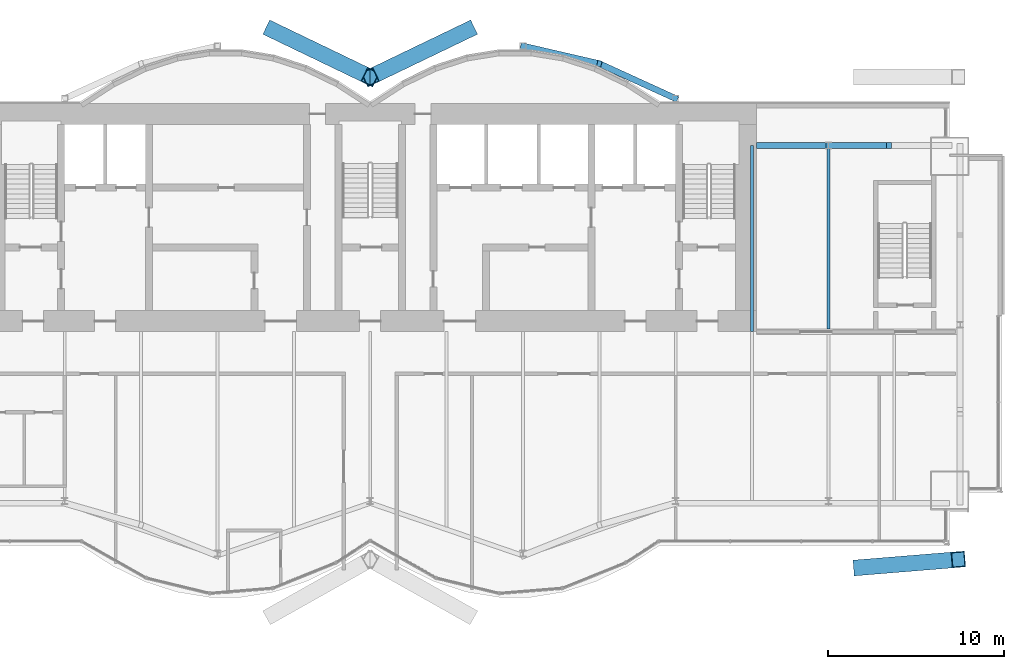
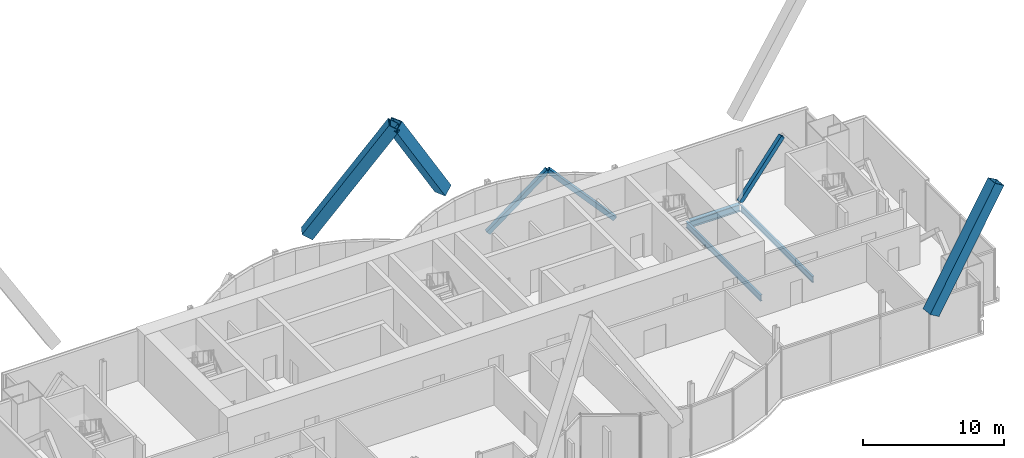
# One storey, part 8 of 17: 6 members, 3 beams.
"""IFC4 building model written with IfcOpenShell, lengths in metres."""

from ifc_helpers import new_model, si_unit, direction, frame, origin, origin_2d, place, context, subcontext, project, spatial, hollow_rectangle, i_section, extrude, material, material_profile, profile_set, type_object, element, save


model = new_model("IFC4")

# Units and contexts
model_context = context("Model", 3, precision=1e-05, world=origin(), true_north=direction((0.0, 1.0)))
body_context = subcontext(model_context, "Body", "Model", "MODEL_VIEW")
ifc_project = project(units=[si_unit("LENGTHUNIT", "METRE"), si_unit("AREAUNIT", "SQUARE_METRE"), si_unit("VOLUMEUNIT", "CUBIC_METRE"), si_unit("PLANEANGLEUNIT", "RADIAN"), si_unit("MASSUNIT", "GRAM", prefix="KILO")], contexts=[model_context])

# Site, building, storey
site_placement = place(None, origin())
site = spatial("IfcSite", under=ifc_project, at=site_placement, CompositionType="ELEMENT")
building_placement = place(site_placement, origin())
building = spatial("IfcBuilding", under=site, at=building_placement, Name="Bicima Exchange Tower", CompositionType="ELEMENT")
storey_placement = place(building_placement, frame((0.0, 0.0, 333.5)))
storey = spatial("IfcBuildingStorey", under=building, at=storey_placement, Name="L75", CompositionType="ELEMENT", Elevation=333.5)

# Members
ifc_material_1 = material(Name="Steel ASTM A572 Gr 50", Category="steel")
ifc_material_profile_1 = material_profile(ifc_material_1, hollow_rectangle(XDim=0.89990234375, YDim=0.89990234375, WallThickness=0.050048828125, at=origin_2d()))
ifc_profile_set_1 = profile_set([ifc_material_profile_1], Name="Steel ASTM A572 Gr 50")
member_type_1 = type_object("IfcMemberType", Name="Exo mega brace BOX 900x900x50", PredefinedType="BRACE", material=ifc_profile_set_1)
member_1_placement = place(storey_placement, frame((27.916748046875, -26.430419921875, 4.308349609375), z_axis=(0.520756137154, 0.042491186844, 0.852647374157), x_axis=(-0.081324900282, 0.996687644447, 0.0)))
element("IfcMember", 1, at=member_1_placement, inside=storey, type_object=member_type_1, Name="Exo mega brace front", PredefinedType="BRACE", context=body_context, shape_type="SweptSolid", body=[
    extrude(hollow_rectangle(XDim=0.89990234375, YDim=0.89990234375, WallThickness=0.050048828125, at=origin_2d()), origin(), (0.0, 0.0, 1.0), 10.721435546875),
])
for number, where, z_axis, x_axis, name in (
    (2, (-5.583251953125, 4.1865234375, 4.308349609375), (0.50556886159, -0.243267294282, 0.827780858515), (0.433591692225, 0.901109451972, 0.0), "Exo mega brace rear"),
    (3, (5.583251953125, 4.1865234375, 4.308349609375), (-0.50556886159, -0.243267294282, 0.827780858515), (0.433591692225, -0.901109451972, 0.0), "Exo mega brace rear"),
):
    element("IfcMember", number, at=place(storey_placement, frame(where, z_axis=z_axis, x_axis=x_axis)), inside=storey, type_object=member_type_1, Name=name, PredefinedType="BRACE", context=body_context, shape_type="SweptSolid", body=[
        extrude(hollow_rectangle(XDim=0.89990234375, YDim=0.89990234375, WallThickness=0.050048828125, at=origin_2d()), origin(), (0.0, 0.0, 1.0), 11.04345703125),
    ])

# Beams
ifc_material_2 = material(Name="Steel ASTM A992 Gr 50", Category="steel")
ifc_material_profile_2 = material_profile(ifc_material_2, i_section(OverallWidth=0.165771484375, OverallDepth=0.5283203125, WebThickness=0.009765625, FlangeThickness=0.013671875, at=origin_2d()))
ifc_profile_set_2 = profile_set([ifc_material_profile_2], Name="Steel ASTM A992 Gr 50")
beam_type_1 = type_object("IfcBeamType", Name="Floor beam W21x50", PredefinedType="JOIST", material=ifc_profile_set_2)
beam_1_placement = place(storey_placement, frame((21.75, -2.39990234375, -0.414306640625), z_axis=(0.0, -1.0, 0.0), x_axis=(1.0, 0.0, 0.0)))
element("IfcBeam", 4, at=beam_1_placement, inside=storey, type_object=beam_type_1, Name="Floor beam", PredefinedType="JOIST", context=body_context, shape_type="SweptSolid", body=[
    extrude(i_section(OverallWidth=0.165771484375, OverallDepth=0.5283203125, WebThickness=0.009765625, FlangeThickness=0.013671875, at=origin_2d()), origin(), (0.0, 0.0, 1.0), 10.60009765625),
])
beam_2_placement = place(storey_placement, frame((26.10009765625, -2.5625, -0.414306640625), z_axis=(0.0, -1.0, 0.0), x_axis=(1.0, 0.0, 0.0)))
element("IfcBeam", 5, at=beam_2_placement, inside=storey, type_object=beam_type_1, Name="Floor beam", PredefinedType="JOIST", context=body_context, shape_type="SweptSolid", body=[
    extrude(i_section(OverallWidth=0.165771484375, OverallDepth=0.5283203125, WebThickness=0.009765625, FlangeThickness=0.013671875, at=origin_2d()), origin(), (0.0, 0.0, 1.0), 10.28515625),
])

# Members
ifc_material_profile_3 = material_profile(ifc_material_1, hollow_rectangle(XDim=0.355712890625, YDim=0.355712890625, WallThickness=0.01171875, at=origin_2d()))
ifc_profile_set_3 = profile_set([ifc_material_profile_3], Name="Steel ASTM A572 Gr 50")
member_type_2 = type_object("IfcMemberType", Name="Mega brace HSS14x14x1/2", PredefinedType="BRACE", material=ifc_profile_set_3)
member_2_placement = place(storey_placement, frame((8.699951171875, 3.26904296875, 0.0), z_axis=(0.686212303743, -0.158786245837, 0.709858860848), x_axis=(0.225438503722, 0.974257399787, 0.0)))
element("IfcMember", 6, at=member_2_placement, inside=storey, type_object=member_type_2, Name="Mega brace rexo", PredefinedType="BRACE", context=body_context, shape_type="SweptSolid", body=[
    extrude(hollow_rectangle(XDim=0.355712890625, YDim=0.355712890625, WallThickness=0.01171875, at=origin_2d()), origin(), (0.0, 0.0, 1.0), 6.33935546875),
])
member_3_placement = place(storey_placement, frame((17.39990234375, 0.278076171875, 0.0), z_axis=(-0.662507516739, 0.302231638101, 0.685375683254), x_axis=(-0.415045223819, -0.909800781592, 0.0)))
element("IfcMember", 7, at=member_3_placement, inside=storey, type_object=member_type_2, Name="Mega brace rexo", PredefinedType="BRACE", context=body_context, shape_type="SweptSolid", body=[
    extrude(hollow_rectangle(XDim=0.355712890625, YDim=0.355712890625, WallThickness=0.01171875, at=origin_2d()), origin(), (0.0, 0.0, 1.0), 6.565673828125),
])
member_4_placement = place(storey_placement, frame((26.10009765625, -2.39990234375, 0.0), z_axis=(0.608426120198, 0.0, 0.793610519248), x_axis=(0.0, 1.0, 0.0)))
element("IfcMember", 8, at=member_4_placement, inside=storey, type_object=member_type_2, Name="Mega brace rear", PredefinedType="BRACE", context=body_context, shape_type="SweptSolid", body=[
    extrude(hollow_rectangle(XDim=0.355712890625, YDim=0.355712890625, WallThickness=0.01171875, at=origin_2d()), origin(), (0.0, 0.0, 1.0), 5.670166015625),
])

# Beam
ifc_material_profile_4 = material_profile(ifc_material_2, i_section(OverallWidth=0.3251953125, OverallDepth=0.612060546875, WebThickness=0.0126953125, FlangeThickness=0.01904296875, at=origin_2d()))
ifc_profile_set_4 = profile_set([ifc_material_profile_4], Name="Steel ASTM A992 Gr 50")
beam_type_2 = type_object("IfcBeamType", Name="Rear girder W24x104", PredefinedType="BEAM", material=ifc_profile_set_4)
beam_3_placement = place(storey_placement, frame((22.0, -2.39990234375, -0.4560546875), z_axis=(1.0, 0.0, 0.0), x_axis=(0.0, 1.0, 0.0)))
element("IfcBeam", 9, at=beam_3_placement, inside=storey, type_object=beam_type_2, Name="Rear girder", PredefinedType="BEAM", context=body_context, shape_type="SweptSolid", body=[
    extrude(i_section(OverallWidth=0.3251953125, OverallDepth=0.612060546875, WebThickness=0.0126953125, FlangeThickness=0.01904296875, at=origin_2d()), origin(), (0.0, 0.0, 1.0), 4.10009765625),
])

save(model, "model.ifc")
